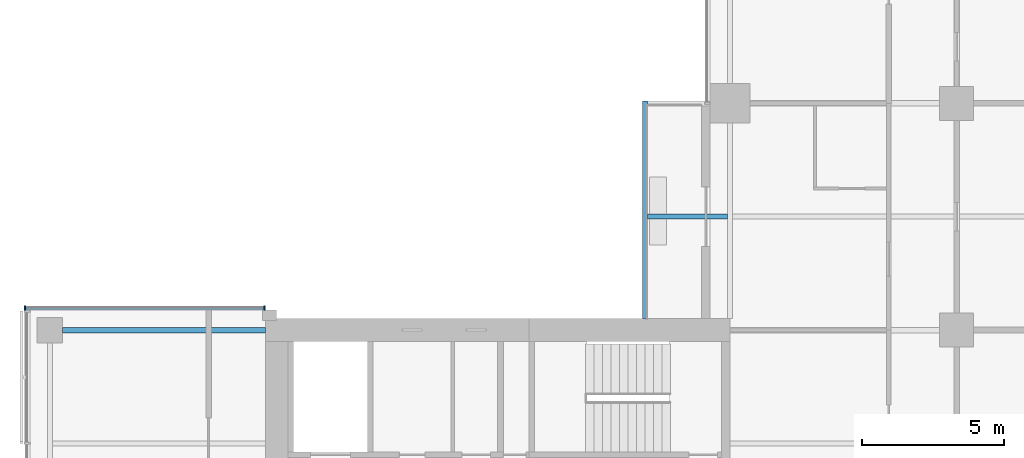
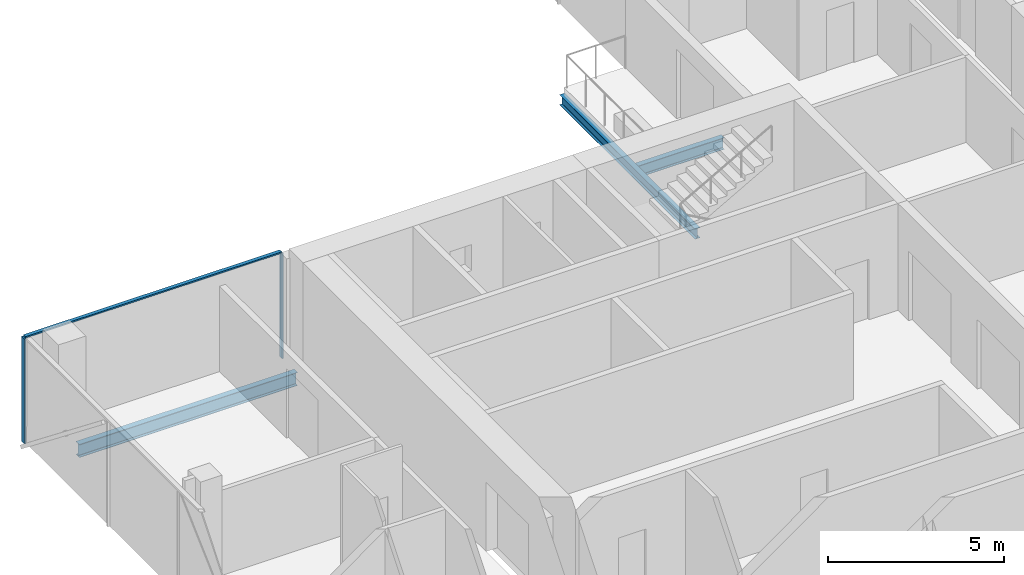
# One storey, part 8 of 27: 3 beams, 3 members, 1 element without a shape of its own.
"""IFC4 building model written with IfcOpenShell, lengths in metres."""

from ifc_helpers import new_model, si_unit, direction, frame, origin, origin_2d, place, context, subcontext, project, spatial, rectangle, i_section, extrude, material, material_profile, profile_set, type_object, element, aggregate, save


model = new_model("IFC4")

# Units and contexts
model_context = context("Model", 3, precision=1e-05, world=origin(), true_north=direction((0.0, 1.0)))
body_context = subcontext(model_context, "Body", "Model", "MODEL_VIEW")
ifc_project = project(units=[si_unit("LENGTHUNIT", "METRE"), si_unit("AREAUNIT", "SQUARE_METRE"), si_unit("VOLUMEUNIT", "CUBIC_METRE"), si_unit("PLANEANGLEUNIT", "RADIAN"), si_unit("MASSUNIT", "GRAM", prefix="KILO")], contexts=[model_context])

# Site, building, storey
site_placement = place(None, origin())
site = spatial("IfcSite", under=ifc_project, at=site_placement, CompositionType="ELEMENT")
building_placement = place(site_placement, origin())
building = spatial("IfcBuilding", under=site, at=building_placement, Name="Crosswind Convention Tower", CompositionType="ELEMENT")
storey_placement = place(building_placement, frame((0.0, 0.0, 79.39990234375)))
storey = spatial("IfcBuildingStorey", under=building, at=storey_placement, Name="L14", CompositionType="ELEMENT", Elevation=79.39990234375)

# Beams
ifc_material_1 = material(Name="Steel S355", Category="steel")
ifc_material_profile_1 = material_profile(ifc_material_1, i_section(OverallWidth=0.177734375, OverallDepth=0.406494140625, WebThickness=0.0078125, FlangeThickness=0.0126953125, FilletRadius=0.01025390625, at=origin_2d()), Name="UB 406x178x60")
ifc_profile_set_1 = profile_set([ifc_material_profile_1], Name="Steel S355")
beam_type_1 = type_object("IfcBeamType", Name="Balcony cantilever UB 406x178x60", PredefinedType="BEAM", material=ifc_profile_set_1)
beam_1_placement = place(storey_placement, frame((112.90478515625, 116.0, -0.483154296875), z_axis=(-1.0, 0.0, 0.0), x_axis=(0.0, -1.0, 0.0)))
element("IfcBeam", 1, at=beam_1_placement, inside=storey, type_object=beam_type_1, Name="B35 L14 balcony cantilever NW 4", PredefinedType="BEAM", context=body_context, shape_type="SweptSolid", body=[
    extrude(i_section(OverallWidth=0.177734375, OverallDepth=0.406494140625, WebThickness=0.0078125, FlangeThickness=0.0126953125, FilletRadius=0.01025390625, at=origin_2d()), origin(), (0.0, 0.0, 1.0), 2.8193359375),
])
ifc_material_profile_2 = material_profile(ifc_material_1, i_section(OverallWidth=0.1708984375, OverallDepth=0.35205078125, WebThickness=0.0068359375, FlangeThickness=0.009765625, FilletRadius=0.01025390625, at=origin_2d()), Name="UB 356x171x45")
ifc_profile_set_2 = profile_set([ifc_material_profile_2], Name="Steel S355")
beam_type_2 = type_object("IfcBeamType", Name="Balcony edge beam UB 356x171x45", PredefinedType="BEAM", material=ifc_profile_set_2)
beam_2_placement = place(storey_placement, frame((110.0, 112.39990234375, -0.455810546875), z_axis=(0.0, 1.0, 0.0), x_axis=(-1.0, 0.0, 0.0)))
element("IfcBeam", 2, at=beam_2_placement, inside=storey, type_object=beam_type_2, Name="B37 L14 balcony edge beam NW 6", PredefinedType="BEAM", context=body_context, shape_type="SweptSolid", body=[
    extrude(i_section(OverallWidth=0.1708984375, OverallDepth=0.35205078125, WebThickness=0.0068359375, FlangeThickness=0.009765625, FilletRadius=0.01025390625, at=origin_2d()), origin(), (0.0, 0.0, 1.0), 7.68896484375),
])
ifc_material_profile_3 = material_profile(ifc_material_1, i_section(OverallWidth=0.1904296875, OverallDepth=0.457275390625, WebThickness=0.009033203125, FlangeThickness=0.014404296875, FilletRadius=0.01025390625, at=origin_2d()), Name="UB 457x191x75")
ifc_profile_set_3 = profile_set([ifc_material_profile_3], Name="Steel S355")
beam_type_3 = type_object("IfcBeamType", Name="Edge beam UB 457x191x75", PredefinedType="SPANDREL", material=ifc_profile_set_3)
beam_3_placement = place(storey_placement, frame((89.449951171875, 112.0, -0.508544921875), z_axis=(1.0, 0.0, 0.0), x_axis=(0.0, 1.0, 0.0)))
element("IfcBeam", 3, at=beam_3_placement, inside=storey, type_object=beam_type_3, Name="B17 L14 edge beam 5", PredefinedType="SPANDREL", context=body_context, shape_type="SweptSolid", body=[
    extrude(i_section(OverallWidth=0.1904296875, OverallDepth=0.457275390625, WebThickness=0.009033203125, FlangeThickness=0.014404296875, FilletRadius=0.01025390625, at=origin_2d()), origin(), (0.0, 0.0, 1.0), 7.150146484375),
])

# Curtain wall, members
ifc_material_2 = material(Name="Aluminium unitised curtain wall", Category="aluminium")
curtain_wall_type = type_object("IfcCurtainWallType", Name="CORE END SLOT WALL 160", PredefinedType="USERDEFINED", material=ifc_material_2)
curtain_wall_placement = place(storey_placement, origin())
curtain_wall = element("IfcCurtainWall", 4, at=curtain_wall_placement, inside=storey, type_object=curtain_wall_type, Name="CW6 L14 W-N.2-1 slot", ObjectType="UNITISED", PredefinedType="USERDEFINED")
ifc_material_3 = material(Name="Aluminium mullion", Category="aluminium")
ifc_material_profile_4 = material_profile(ifc_material_3, rectangle(XDim=0.159912109375, YDim=0.050048828125, at=origin_2d()), Name="AL 160X50")
ifc_profile_set_4 = profile_set([ifc_material_profile_4], Name="Aluminium mullion")
member_type_1 = type_object("IfcMemberType", Name="MULLION 50X160", PredefinedType="MULLION", material=ifc_profile_set_4)
member_1_placement = place(storey_placement, frame((96.574951171875, 112.780029296875, -0.27978515625), z_axis=(0.0, 0.0, 1.0), x_axis=(0.0, 1.0, 0.0)))
member_1 = element("IfcMember", 5, at=member_1_placement, type_object=member_type_1, Name="CW6 mullion 1", PredefinedType="MULLION", context=body_context, shape_type="SweptSolid", body=[
    extrude(rectangle(XDim=0.159912109375, YDim=0.050048828125, at=origin_2d()), origin(), (0.0, 0.0, 1.0), 3.64990234375),
])
member_2_placement = place(storey_placement, frame((88.125, 112.780029296875, -0.27978515625), z_axis=(0.0, 0.0, 1.0), x_axis=(0.0, 1.0, 0.0)))
member_2 = element("IfcMember", 6, at=member_2_placement, type_object=member_type_1, Name="CW6 mullion 2", PredefinedType="MULLION", context=body_context, shape_type="SweptSolid", body=[
    extrude(rectangle(XDim=0.159912109375, YDim=0.050048828125, at=origin_2d()), origin(), (0.0, 0.0, 1.0), 3.64990234375),
])
ifc_material_4 = material(Name="Aluminium transom", Category="aluminium")
ifc_material_profile_5 = material_profile(ifc_material_4, rectangle(XDim=0.1201171875, YDim=0.050048828125, at=origin_2d()), Name="AL 120X50")
ifc_profile_set_5 = profile_set([ifc_material_profile_5], Name="Aluminium transom")
member_type_2 = type_object("IfcMemberType", Name="TRANSOM 50X120", PredefinedType="USERDEFINED", material=ifc_profile_set_5)
member_3_placement = place(storey_placement, frame((96.550048828125, 112.780029296875, 3.39501953125), z_axis=(-1.0, 0.0, 0.0), x_axis=(0.0, -1.0, 0.0)))
member_3 = element("IfcMember", 7, at=member_3_placement, type_object=member_type_2, Name="CW6 transom", ObjectType="TRANSOM", PredefinedType="USERDEFINED", context=body_context, shape_type="SweptSolid", body=[
    extrude(rectangle(XDim=0.1201171875, YDim=0.050048828125, at=origin_2d()), origin(), (0.0, 0.0, 1.0), 8.400146484375),
])
aggregate(curtain_wall, [member_1, member_2, member_3])

save(model, "model.ifc")
